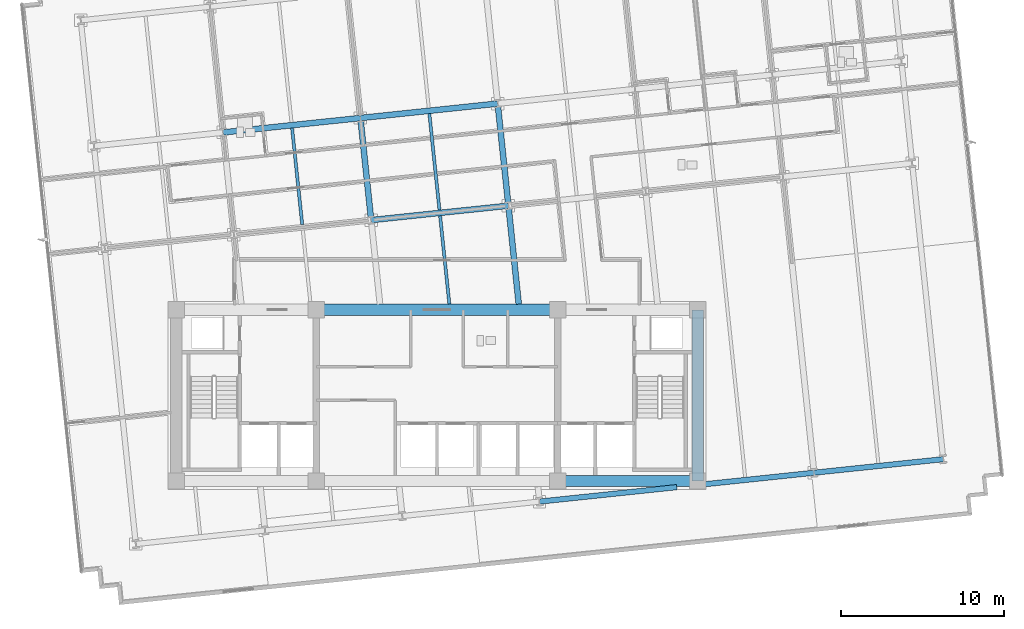
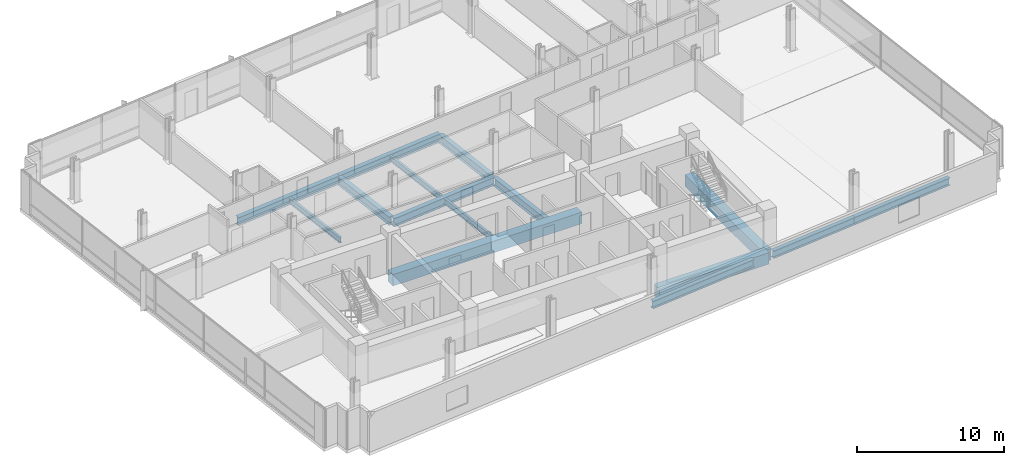
# One storey, part 5 of 21: 15 beams.
"""IFC4 building model written with IfcOpenShell, lengths in metres."""

from ifc_helpers import new_model, si_unit, direction, frame, origin, origin_2d, place, context, subcontext, project, spatial, rectangle, i_section, extrude, material, material_profile, profile_set, type_object, element, save


model = new_model("IFC4")

# Units and contexts
model_context = context("Model", 3, precision=1e-05, world=origin(), true_north=direction((0.0, 1.0)))
body_context = subcontext(model_context, "Body", "Model", "MODEL_VIEW")
ifc_project = project(units=[si_unit("LENGTHUNIT", "METRE"), si_unit("AREAUNIT", "SQUARE_METRE"), si_unit("VOLUMEUNIT", "CUBIC_METRE"), si_unit("PLANEANGLEUNIT", "RADIAN"), si_unit("MASSUNIT", "GRAM", prefix="KILO")], contexts=[model_context])

# Site, building, storey
site_placement = place(None, origin())
site = spatial("IfcSite", under=ifc_project, at=site_placement, CompositionType="ELEMENT")
building_placement = place(site_placement, origin())
building = spatial("IfcBuilding", under=site, at=building_placement, Name="Solmavex Isthmus Hotel", CompositionType="ELEMENT")
storey_placement = place(building_placement, frame((0.0, 0.0, 113.25)))
storey = spatial("IfcBuildingStorey", under=building, at=storey_placement, Name="L30", CompositionType="ELEMENT", Elevation=113.25)

# Beams
ifc_material_1 = material(Name="Steel ASTM A992 Grade 50", Category="steel")
ifc_material_profile_1 = material_profile(ifc_material_1, i_section(OverallWidth=0.354736328125, OverallDepth=0.695556640625, WebThickness=0.015380859375, FlangeThickness=0.02490234375, FilletRadius=0.017822265625, at=origin_2d()), Name="W27X146")
ifc_profile_set_1 = profile_set([ifc_material_profile_1], Name="Steel ASTM A992 Grade 50")
beam_type_1 = type_object("IfcBeamType", Name="BM-BG-W27X146", PredefinedType="BEAM", material=ifc_profile_set_1)
beam_1_placement = place(storey_placement, frame((-4.0390625, 3.003662109375, -0.607666015625), z_axis=(0.994523767887, 0.104510645909, 0.0), x_axis=(-0.104510645909, 0.994523767887, 0.0)))
element("IfcBeam", 1, at=beam_1_placement, inside=storey, type_object=beam_type_1, Name="Floor Girder L30-UG09", PredefinedType="BEAM", context=body_context, shape_type="SweptSolid", body=[
    extrude(i_section(OverallWidth=0.354736328125, OverallDepth=0.695556640625, WebThickness=0.015380859375, FlangeThickness=0.02490234375, FilletRadius=0.017822265625, at=origin_2d()), origin(), (0.0, 0.0, 1.0), 8.4658203125),
])
for number, where, z_axis, x_axis, name in (
    (2, (-13.1171875, 8.382080078125, -0.607666015625), (0.994521085209, 0.104536171134, 0.0), (-0.104536171134, 0.994521085209, 0.0), "Floor Girder L30-UG14"),
    (3, (-4.697509765625, 9.26708984375, -0.607666015625), (0.994521085209, 0.104536171134, 0.0), (-0.104536171134, 0.994521085209, 0.0), "Floor Girder L30-UG15"),
):
    element("IfcBeam", number, at=place(storey_placement, frame(where, z_axis=z_axis, x_axis=x_axis)), inside=storey, type_object=beam_type_1, Name=name, PredefinedType="BEAM", context=body_context, shape_type="SweptSolid", body=[
        extrude(i_section(OverallWidth=0.354736328125, OverallDepth=0.695556640625, WebThickness=0.015380859375, FlangeThickness=0.02490234375, FilletRadius=0.017822265625, at=origin_2d()), origin(), (0.0, 0.0, 1.0), 8.466064453125),
    ])
beam_2_placement = place(storey_placement, frame((-4.0576171875, 3.179931640625, -0.607666015625), z_axis=(-0.104545790518, 0.994520074048, 0.0), x_axis=(-0.994520074048, -0.104545790518, 0.0)))
element("IfcBeam", 4, at=beam_2_placement, inside=storey, type_object=beam_type_1, Name="Floor Beam L30-VG34", PredefinedType="BEAM", context=body_context, shape_type="SweptSolid", body=[
    extrude(i_section(OverallWidth=0.354736328125, OverallDepth=0.695556640625, WebThickness=0.015380859375, FlangeThickness=0.02490234375, FilletRadius=0.017822265625, at=origin_2d()), origin(), (0.0, 0.0, 1.0), 5.943115234375),
])
beam_3_placement = place(storey_placement, frame((5.01513671875, -2.14990234375, -0.607666015625), z_axis=(-0.104542482388, 0.994520421799, 0.0), x_axis=(-0.994520421799, -0.104542482388, 0.0)))
element("IfcBeam", 5, at=beam_3_placement, inside=storey, type_object=beam_type_1, Name="Floor Beam L30-VG37", PredefinedType="BEAM", context=body_context, shape_type="SweptSolid", body=[
    extrude(i_section(OverallWidth=0.354736328125, OverallDepth=0.695556640625, WebThickness=0.015380859375, FlangeThickness=0.02490234375, FilletRadius=0.017822265625, at=origin_2d()), origin(), (0.0, 0.0, 1.0), 5.894287109375),
])
beam_4_placement = place(storey_placement, frame((4.362060546875, 4.06494140625, -0.607666015625), z_axis=(-0.104545790518, 0.994520074048, 0.0), x_axis=(-0.994520074048, -0.104545790518, 0.0)))
element("IfcBeam", 6, at=beam_4_placement, inside=storey, type_object=beam_type_1, Name="Floor Beam L30-VG38", PredefinedType="BEAM", context=body_context, shape_type="SweptSolid", body=[
    extrude(i_section(OverallWidth=0.354736328125, OverallDepth=0.695556640625, WebThickness=0.015380859375, FlangeThickness=0.02490234375, FilletRadius=0.017822265625, at=origin_2d()), origin(), (0.0, 0.0, 1.0), 5.943115234375),
])
ifc_material_profile_2 = material_profile(ifc_material_1, i_section(OverallWidth=0.1904296875, OverallDepth=0.456787109375, WebThickness=0.009033203125, FlangeThickness=0.014404296875, FilletRadius=0.0126953125, at=origin_2d()), Name="W18X50")
ifc_profile_set_2 = profile_set([ifc_material_profile_2], Name="Steel ASTM A992 Grade 50")
beam_type_2 = type_object("IfcBeamType", Name="BM-BJ-W18X50", PredefinedType="JOIST", material=ifc_profile_set_2)
beam_5_placement = place(storey_placement, frame((-8.267578125, 2.737548828125, -0.488525390625), z_axis=(-0.104505160346, 0.994524344328, 0.0), x_axis=(-0.994524344328, -0.104505160346, 0.0)))
element("IfcBeam", 7, at=beam_5_placement, inside=storey, type_object=beam_type_2, Name="Secondary Floor Joist L30-J07", PredefinedType="JOIST", context=body_context, shape_type="SweptSolid", body=[
    extrude(i_section(OverallWidth=0.1904296875, OverallDepth=0.456787109375, WebThickness=0.009033203125, FlangeThickness=0.014404296875, FilletRadius=0.0126953125, at=origin_2d()), origin(), (0.0, 0.0, 1.0), 5.943115234375),
])
beam_6_placement = place(storey_placement, frame((0.7587890625, -2.14990234375, -0.488525390625), z_axis=(-0.104523862956, 0.99452237887, 0.0), x_axis=(-0.99452237887, -0.104523862956, 0.0)))
element("IfcBeam", 8, at=beam_6_placement, inside=storey, type_object=beam_type_2, Name="Secondary Floor Joist L30-J10", PredefinedType="JOIST", context=body_context, shape_type="SweptSolid", body=[
    extrude(i_section(OverallWidth=0.1904296875, OverallDepth=0.456787109375, WebThickness=0.009033203125, FlangeThickness=0.014404296875, FilletRadius=0.0126953125, at=origin_2d()), origin(), (0.0, 0.0, 1.0), 5.44921875),
])
beam_7_placement = place(storey_placement, frame((0.152099609375, 3.62255859375, -0.488525390625), z_axis=(-0.104505160346, 0.994524344328, 0.0), x_axis=(-0.994524344328, -0.104505160346, 0.0)))
element("IfcBeam", 9, at=beam_7_placement, inside=storey, type_object=beam_type_2, Name="Secondary Floor Joist L30-J11", PredefinedType="JOIST", context=body_context, shape_type="SweptSolid", body=[
    extrude(i_section(OverallWidth=0.1904296875, OverallDepth=0.456787109375, WebThickness=0.009033203125, FlangeThickness=0.014404296875, FilletRadius=0.0126953125, at=origin_2d()), origin(), (0.0, 0.0, 1.0), 5.943115234375),
])
ifc_material_2 = material(Name="Concrete C60/75", Category="concrete")
ifc_material_profile_3 = material_profile(ifc_material_2, rectangle(XDim=0.699951171875, YDim=0.949951171875, at=origin_2d()), Name="RC700X950")
ifc_profile_set_3 = profile_set([ifc_material_profile_3], Name="Concrete C60/75")
beam_type_3 = type_object("IfcBeamType", Name="BM-CB-700X950", PredefinedType="BEAM", material=ifc_profile_set_3)
beam_8_placement = place(storey_placement, frame((7.39990234375, -13.0, -0.735107421875), z_axis=(1.0, 0.0, 0.0), x_axis=(0.0, 1.0, 0.0)))
element("IfcBeam", 10, at=beam_8_placement, inside=storey, type_object=beam_type_3, Name="Core Coupling Beam L30-CB3", PredefinedType="BEAM", context=body_context, shape_type="SweptSolid", body=[
    extrude(rectangle(XDim=0.699951171875, YDim=0.949951171875, at=origin_2d()), origin(), (0.0, 0.0, 1.0), 8.60009765625),
])
beam_9_placement = place(storey_placement, frame((-7.39990234375, -2.5, -0.735107421875), z_axis=(1.0, 0.0, 0.0), x_axis=(0.0, 1.0, 0.0)))
element("IfcBeam", 11, at=beam_9_placement, inside=storey, type_object=beam_type_3, Name="Core Coupling Beam L30-CB5", PredefinedType="BEAM", context=body_context, shape_type="SweptSolid", body=[
    extrude(rectangle(XDim=0.699951171875, YDim=0.949951171875, at=origin_2d()), origin(), (0.0, 0.0, 1.0), 14.7998046875),
])
beam_10_placement = place(storey_placement, frame((16.0, -13.0, -0.735107421875), z_axis=(0.0, 1.0, 0.0), x_axis=(-1.0, 0.0, 0.0)))
element("IfcBeam", 12, at=beam_10_placement, inside=storey, type_object=beam_type_3, Name="Core Coupling Beam L30-CB8", PredefinedType="BEAM", context=body_context, shape_type="SweptSolid", body=[
    extrude(rectangle(XDim=0.699951171875, YDim=0.949951171875, at=origin_2d()), origin(), (0.0, 0.0, 1.0), 10.5),
])
ifc_material_profile_4 = material_profile(ifc_material_1, i_section(OverallWidth=0.326416015625, OverallDepth=0.621826171875, WebThickness=0.015380859375, FlangeThickness=0.0244140625, FilletRadius=0.01513671875, at=origin_2d()), Name="W24X131")
ifc_profile_set_4 = profile_set([ifc_material_profile_4], Name="Steel ASTM A992 Grade 50")
beam_type_4 = type_object("IfcBeamType", Name="BM-SP-W24X131", PredefinedType="SPANDREL", material=ifc_profile_set_4)
beam_11_placement = place(storey_placement, frame((6.2880859375, -14.261474609375, -0.57080078125), z_axis=(0.994524082861, 0.104507648572, 0.0), x_axis=(-0.104507648572, 0.994524082861, 0.0)))
element("IfcBeam", 13, at=beam_11_placement, inside=storey, type_object=beam_type_4, Name="Floor Girder L30-UG04", PredefinedType="SPANDREL", context=body_context, shape_type="SweptSolid", body=[
    extrude(i_section(OverallWidth=0.326416015625, OverallDepth=0.621826171875, WebThickness=0.015380859375, FlangeThickness=0.0244140625, FilletRadius=0.01513671875, at=origin_2d()), origin(), (0.0, 0.0, 1.0), 8.466064453125),
])
beam_12_placement = place(storey_placement, frame((16.35009765625, -13.2041015625, -0.57080078125), z_axis=(0.994520754079, 0.10453932134, 0.0), x_axis=(-0.10453932134, 0.994520754079, 0.0)))
element("IfcBeam", 14, at=beam_12_placement, inside=storey, type_object=beam_type_4, Name="Floor Girder L30-UG05", PredefinedType="SPANDREL", context=body_context, shape_type="SweptSolid", body=[
    extrude(i_section(OverallWidth=0.326416015625, OverallDepth=0.621826171875, WebThickness=0.015380859375, FlangeThickness=0.0244140625, FilletRadius=0.01513671875, at=origin_2d()), origin(), (0.0, 0.0, 1.0), 6.814697265625),
])
beam_13_placement = place(storey_placement, frame((23.12744140625, -12.49169921875, -0.57080078125), z_axis=(0.994520217478, 0.10454442609, 0.0), x_axis=(-0.10454442609, 0.994520217478, 0.0)))
element("IfcBeam", 15, at=beam_13_placement, inside=storey, type_object=beam_type_4, Name="Floor Girder L30-UG06", PredefinedType="SPANDREL", context=body_context, shape_type="SweptSolid", body=[
    extrude(i_section(OverallWidth=0.326416015625, OverallDepth=0.621826171875, WebThickness=0.015380859375, FlangeThickness=0.0244140625, FilletRadius=0.01513671875, at=origin_2d()), origin(), (0.0, 0.0, 1.0), 7.968017578125),
])

save(model, "model.ifc")
